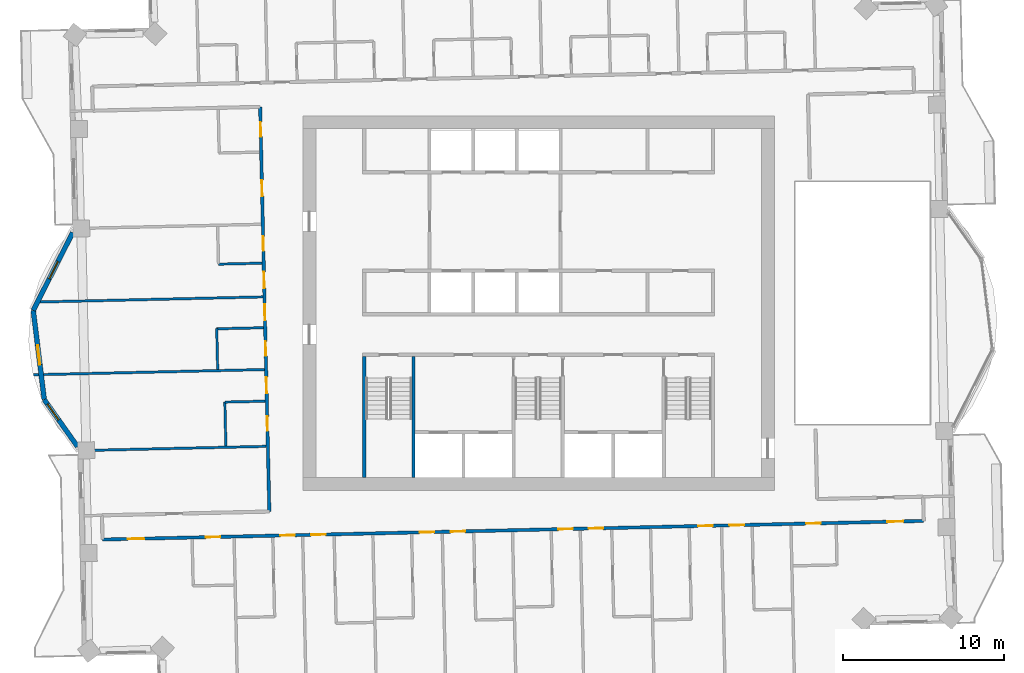
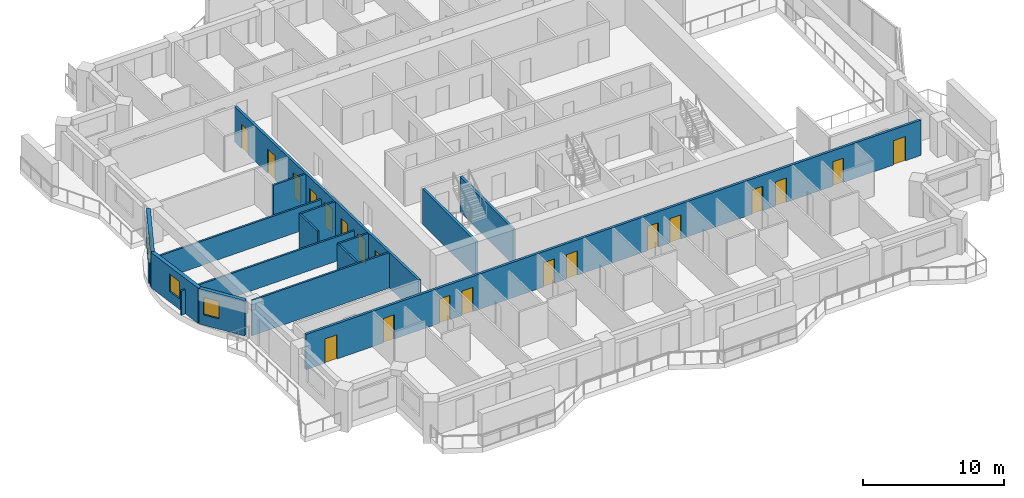
# One storey, part 7 of 17: 20 doors, 15 walls, 3 windows, 23 openings.
"""IFC4 building model written with IfcOpenShell, lengths in metres."""

from ifc_helpers import new_model, si_unit, direction, frame, frame_2d, origin, place, context, subcontext, project, spatial, rectangle, extrude, material, layer, layer_set, type_object, element, fill, save


model = new_model("IFC4")

# Units and contexts
model_context = context("Model", 3, precision=1e-05, world=origin(), true_north=direction((0.0, 1.0)))
body_context = subcontext(model_context, "Body", "Model", "MODEL_VIEW")
ifc_project = project(units=[si_unit("LENGTHUNIT", "METRE"), si_unit("AREAUNIT", "SQUARE_METRE"), si_unit("VOLUMEUNIT", "CUBIC_METRE"), si_unit("PLANEANGLEUNIT", "RADIAN"), si_unit("MASSUNIT", "GRAM", prefix="KILO")], contexts=[model_context])

# Site, building, storey
site_placement = place(None, origin())
site = spatial("IfcSite", under=ifc_project, at=site_placement, CompositionType="ELEMENT")
building_placement = place(site_placement, origin())
building = spatial("IfcBuilding", under=site, at=building_placement, Name="Mangrove Gate Tower", CompositionType="ELEMENT")
storey_placement = place(building_placement, frame((0.0, 0.0, 241.89990234375)))
storey = spatial("IfcBuildingStorey", under=building, at=storey_placement, Name="L61", CompositionType="ELEMENT", Elevation=241.89990234375)

# Walls
ifc_material_1 = material(Name="Concrete C60/75", Category="concrete")
ifc_layer_1 = layer(ifc_material_1, 0.199951171875)
ifc_layer_set_1 = layer_set([ifc_layer_1], Name="Core stair wall 200 C60/75")
wall_type_1 = type_object("IfcWallType", Name="Core stair wall 200 C60/75", PredefinedType="SHEAR", material=ifc_layer_set_1)
for number, where, z_axis, x_axis, name in (
    (1, (-10.800048828125, -10.800048828125, 0.0), (0.0, 0.0, 1.0), (0.0, 1.0, 0.0), "WALL-L61-CORE-9"),
    (2, (-7.75, -10.800048828125, 0.0), (0.0, 0.0, 1.0), (0.0, 1.0, 0.0), "WALL-L61-CORE-10"),
):
    element("IfcWall", number, at=place(storey_placement, frame(where, z_axis=z_axis, x_axis=x_axis)), inside=storey, type_object=wall_type_1, Name=name, PredefinedType="SHEAR", context=body_context, shape_type="SweptSolid", body=[
        extrude(rectangle(XDim=7.5, YDim=0.199951171875, at=frame_2d((3.75, 0.0))), origin(), (0.0, 0.0, 1.0), 3.050048828125),
    ])

# Wall, openings, doors
ifc_material_2 = material(Name="Gypsum board on steel stud, EI 60", Category="steel")
ifc_layer_2 = layer(ifc_material_2, 0.199951171875)
ifc_layer_set_2 = layer_set([ifc_layer_2], Name="Corridor wall EI 60")
wall_type_2 = type_object("IfcWallType", Name="Corridor wall EI 60", PredefinedType="PARTITIONING", material=ifc_layer_set_2)
wall_1_placement = place(storey_placement, frame((-27.01611328125, -14.64990234375, 0.0), z_axis=(0.0, 0.0, 1.0), x_axis=(0.999742874861, 0.022675629315, 0.0)))
wall_1 = element("IfcWall", 3, at=wall_1_placement, inside=storey, type_object=wall_type_2, Name="WALL-L61-032", PredefinedType="PARTITIONING", context=body_context, shape_type="SweptSolid", body=[
    extrude(rectangle(XDim=50.88330078125, YDim=0.199951171875, at=frame_2d((25.441650390625, 0.0))), origin(), (0.0, 0.0, 1.0), 3.050048828125),
])
opening_1_placement = place(wall_1_placement, frame((1.574951171875, 0.0, 0.0)))
opening_1 = element("IfcOpeningElement", 4, at=opening_1_placement, cuts=wall_1, Name="Opening AD", PredefinedType="OPENING", context=body_context, shape_type="SweptSolid", body=[
    extrude(rectangle(XDim=1.0, YDim=2.10009765625, at=frame_2d((0.5, 1.050048828125))), frame((0.0, 0.10986328125, 0.0), z_axis=(0.0, -1.0, 0.0), x_axis=(1.0, 0.0, 0.0)), (0.0, 0.0, 1.0), 0.219970703125),
])
opening_2_placement = place(wall_1_placement, frame((6.39990234375, 0.0, 0.0)))
opening_2 = element("IfcOpeningElement", 5, at=opening_2_placement, cuts=wall_1, Name="Opening SD", PredefinedType="OPENING", context=body_context, shape_type="SweptSolid", body=[
    extrude(rectangle(XDim=0.89990234375, YDim=2.10009765625, at=frame_2d((0.449951171875, 1.050048828125))), frame((0.0, 0.10986328125, 0.0), z_axis=(0.0, -1.0, 0.0), x_axis=(1.0, 0.0, 0.0)), (0.0, 0.0, 1.0), 0.219970703125),
])
opening_3_placement = place(wall_1_placement, frame((11.02490234375, 0.0, 0.0)))
opening_3 = element("IfcOpeningElement", 6, at=opening_3_placement, cuts=wall_1, Name="Opening BD", PredefinedType="OPENING", context=body_context, shape_type="SweptSolid", body=[
    extrude(rectangle(XDim=0.89990234375, YDim=2.10009765625, at=frame_2d((0.449951171875, 1.050048828125))), frame((0.0, 0.10986328125, 0.0), z_axis=(0.0, -1.0, 0.0), x_axis=(1.0, 0.0, 0.0)), (0.0, 0.0, 1.0), 0.219970703125),
])
opening_4_placement = place(wall_1_placement, frame((12.925048828125, 0.0, 0.0)))
opening_4 = element("IfcOpeningElement", 7, at=opening_4_placement, cuts=wall_1, Name="Opening BD", PredefinedType="OPENING", context=body_context, shape_type="SweptSolid", body=[
    extrude(rectangle(XDim=0.89990234375, YDim=2.10009765625, at=frame_2d((0.449951171875, 1.050048828125))), frame((0.0, 0.10986328125, 0.0), z_axis=(0.0, -1.0, 0.0), x_axis=(1.0, 0.0, 0.0)), (0.0, 0.0, 1.0), 0.219970703125),
])
opening_5_placement = place(wall_1_placement, frame((19.64990234375, 0.0, 0.0)))
opening_5 = element("IfcOpeningElement", 8, at=opening_5_placement, cuts=wall_1, Name="Opening BD", PredefinedType="OPENING", context=body_context, shape_type="SweptSolid", body=[
    extrude(rectangle(XDim=0.89990234375, YDim=2.10009765625, at=frame_2d((0.449951171875, 1.050048828125))), frame((0.0, 0.10986328125, 0.0), z_axis=(0.0, -1.0, 0.0), x_axis=(1.0, 0.0, 0.0)), (0.0, 0.0, 1.0), 0.219970703125),
])
opening_6_placement = place(wall_1_placement, frame((21.574951171875, 0.0, 0.0)))
opening_6 = element("IfcOpeningElement", 9, at=opening_6_placement, cuts=wall_1, Name="Opening BD", PredefinedType="OPENING", context=body_context, shape_type="SweptSolid", body=[
    extrude(rectangle(XDim=0.89990234375, YDim=2.10009765625, at=frame_2d((0.449951171875, 1.050048828125))), frame((0.0, 0.10986328125, 0.0), z_axis=(0.0, -1.0, 0.0), x_axis=(1.0, 0.0, 0.0)), (0.0, 0.0, 1.0), 0.219970703125),
])
opening_7_placement = place(wall_1_placement, frame((28.25, 0.0, 0.0)))
opening_7 = element("IfcOpeningElement", 10, at=opening_7_placement, cuts=wall_1, Name="Opening BD", PredefinedType="OPENING", context=body_context, shape_type="SweptSolid", body=[
    extrude(rectangle(XDim=0.89990234375, YDim=2.10009765625, at=frame_2d((0.449951171875, 1.050048828125))), frame((0.0, 0.10986328125, 0.0), z_axis=(0.0, -1.0, 0.0), x_axis=(1.0, 0.0, 0.0)), (0.0, 0.0, 1.0), 0.219970703125),
])
opening_8_placement = place(wall_1_placement, frame((30.125, 0.0, 0.0)))
opening_8 = element("IfcOpeningElement", 11, at=opening_8_placement, cuts=wall_1, Name="Opening BD", PredefinedType="OPENING", context=body_context, shape_type="SweptSolid", body=[
    extrude(rectangle(XDim=0.89990234375, YDim=2.10009765625, at=frame_2d((0.449951171875, 1.050048828125))), frame((0.0, 0.10986328125, 0.0), z_axis=(0.0, -1.0, 0.0), x_axis=(1.0, 0.0, 0.0)), (0.0, 0.0, 1.0), 0.219970703125),
])
opening_9_placement = place(wall_1_placement, frame((36.89990234375, 0.0, 0.0)))
opening_9 = element("IfcOpeningElement", 12, at=opening_9_placement, cuts=wall_1, Name="Opening BD", PredefinedType="OPENING", context=body_context, shape_type="SweptSolid", body=[
    extrude(rectangle(XDim=0.89990234375, YDim=2.10009765625, at=frame_2d((0.449951171875, 1.050048828125))), frame((0.0, 0.10986328125, 0.0), z_axis=(0.0, -1.0, 0.0), x_axis=(1.0, 0.0, 0.0)), (0.0, 0.0, 1.0), 0.219970703125),
])
opening_10_placement = place(wall_1_placement, frame((38.85009765625, 0.0, 0.0)))
opening_10 = element("IfcOpeningElement", 13, at=opening_10_placement, cuts=wall_1, Name="Opening BD", PredefinedType="OPENING", context=body_context, shape_type="SweptSolid", body=[
    extrude(rectangle(XDim=0.89990234375, YDim=2.10009765625, at=frame_2d((0.449951171875, 1.050048828125))), frame((0.0, 0.10986328125, 0.0), z_axis=(0.0, -1.0, 0.0), x_axis=(1.0, 0.0, 0.0)), (0.0, 0.0, 1.0), 0.219970703125),
])
opening_11_placement = place(wall_1_placement, frame((48.62890625, 0.0, 0.0)))
opening_11 = element("IfcOpeningElement", 14, at=opening_11_placement, cuts=wall_1, Name="Opening AD", PredefinedType="OPENING", context=body_context, shape_type="SweptSolid", body=[
    extrude(rectangle(XDim=1.0, YDim=2.10009765625, at=frame_2d((0.5, 1.050048828125))), frame((0.0, 0.10986328125, 0.0), z_axis=(0.0, -1.0, 0.0), x_axis=(1.0, 0.0, 0.0)), (0.0, 0.0, 1.0), 0.219970703125),
])
opening_12_placement = place(wall_1_placement, frame((43.60009765625, 0.0, 0.0)))
opening_12 = element("IfcOpeningElement", 15, at=opening_12_placement, cuts=wall_1, Name="Opening SD", PredefinedType="OPENING", context=body_context, shape_type="SweptSolid", body=[
    extrude(rectangle(XDim=0.89990234375, YDim=2.10009765625, at=frame_2d((0.449951171875, 1.050048828125))), frame((0.0, 0.10986328125, 0.0), z_axis=(0.0, -1.0, 0.0), x_axis=(1.0, 0.0, 0.0)), (0.0, 0.0, 1.0), 0.219970703125),
])
ifc_material_3 = material(Name="Timber door leaf", Category="wood")
door_type_1 = type_object("IfcDoorType", Name="Amenity door 1000", OperationType="SINGLE_SWING_LEFT", PredefinedType="DOOR", material=ifc_material_3)
door_1_placement = place(opening_1_placement, origin())
door_1 = element("IfcDoor", 16, at=door_1_placement, inside=storey, type_object=door_type_1, Name="DOOR-L61-LNG-c1a", OperationType="SINGLE_SWING_LEFT", OverallHeight=2.10009765625, OverallWidth=1.0, PredefinedType="DOOR", context=body_context, shape_type="SweptSolid", body=[
    extrude(rectangle(XDim=1.0, YDim=2.10009765625, at=frame_2d((0.5, 1.050048828125))), frame((0.0, 0.02490234375, 0.0), z_axis=(0.0, -1.0, 0.0), x_axis=(1.0, 0.0, 0.0)), (0.0, 0.0, 1.0), 0.050048828125),
])
fill(opening_1, door_1)
door_2_placement = place(opening_11_placement, origin())
door_2 = element("IfcDoor", 17, at=door_2_placement, inside=storey, type_object=door_type_1, Name="DOOR-L61-KIT-c3a", OperationType="SINGLE_SWING_RIGHT", OverallHeight=2.10009765625, OverallWidth=1.0, PredefinedType="DOOR", context=body_context, shape_type="SweptSolid", body=[
    extrude(rectangle(XDim=1.0, YDim=2.10009765625, at=frame_2d((0.5, 1.050048828125))), frame((0.0, 0.02490234375, 0.0), z_axis=(0.0, -1.0, 0.0), x_axis=(1.0, 0.0, 0.0)), (0.0, 0.0, 1.0), 0.050048828125),
])
fill(opening_11, door_2)
ifc_material_4 = material(Name="Timber door leaf", Category="wood")
door_type_2 = type_object("IfcDoorType", Name="Bedroom door 900", OperationType="SINGLE_SWING_LEFT", PredefinedType="DOOR", material=ifc_material_4)
door_3_placement = place(opening_3_placement, origin())
door_3 = element("IfcDoor", 18, at=door_3_placement, inside=storey, type_object=door_type_2, Name="DOOR-L61-BED-c101", OperationType="SINGLE_SWING_LEFT", OverallHeight=2.10009765625, OverallWidth=0.89990234375, PredefinedType="DOOR", context=body_context, shape_type="SweptSolid", body=[
    extrude(rectangle(XDim=0.89990234375, YDim=2.10009765625, at=frame_2d((0.449951171875, 1.050048828125))), frame((0.0, 0.02490234375, 0.0), z_axis=(0.0, -1.0, 0.0), x_axis=(1.0, 0.0, 0.0)), (0.0, 0.0, 1.0), 0.050048828125),
])
fill(opening_3, door_3)
door_4_placement = place(opening_4_placement, origin())
door_4 = element("IfcDoor", 19, at=door_4_placement, inside=storey, type_object=door_type_2, Name="DOOR-L61-BED-c102", OperationType="SINGLE_SWING_RIGHT", OverallHeight=2.10009765625, OverallWidth=0.89990234375, PredefinedType="DOOR", context=body_context, shape_type="SweptSolid", body=[
    extrude(rectangle(XDim=0.89990234375, YDim=2.10009765625, at=frame_2d((0.449951171875, 1.050048828125))), frame((0.0, 0.02490234375, 0.0), z_axis=(0.0, -1.0, 0.0), x_axis=(1.0, 0.0, 0.0)), (0.0, 0.0, 1.0), 0.050048828125),
])
fill(opening_4, door_4)
door_5_placement = place(opening_5_placement, origin())
door_5 = element("IfcDoor", 20, at=door_5_placement, inside=storey, type_object=door_type_2, Name="DOOR-L61-BED-c103", OperationType="SINGLE_SWING_LEFT", OverallHeight=2.10009765625, OverallWidth=0.89990234375, PredefinedType="DOOR", context=body_context, shape_type="SweptSolid", body=[
    extrude(rectangle(XDim=0.89990234375, YDim=2.10009765625, at=frame_2d((0.449951171875, 1.050048828125))), frame((0.0, 0.02490234375, 0.0), z_axis=(0.0, -1.0, 0.0), x_axis=(1.0, 0.0, 0.0)), (0.0, 0.0, 1.0), 0.050048828125),
])
fill(opening_5, door_5)
door_6_placement = place(opening_6_placement, origin())
door_6 = element("IfcDoor", 21, at=door_6_placement, inside=storey, type_object=door_type_2, Name="DOOR-L61-BED-c104", OperationType="SINGLE_SWING_RIGHT", OverallHeight=2.10009765625, OverallWidth=0.89990234375, PredefinedType="DOOR", context=body_context, shape_type="SweptSolid", body=[
    extrude(rectangle(XDim=0.89990234375, YDim=2.10009765625, at=frame_2d((0.449951171875, 1.050048828125))), frame((0.0, 0.02490234375, 0.0), z_axis=(0.0, -1.0, 0.0), x_axis=(1.0, 0.0, 0.0)), (0.0, 0.0, 1.0), 0.050048828125),
])
fill(opening_6, door_6)
door_7_placement = place(opening_7_placement, origin())
door_7 = element("IfcDoor", 22, at=door_7_placement, inside=storey, type_object=door_type_2, Name="DOOR-L61-BED-c205", OperationType="SINGLE_SWING_LEFT", OverallHeight=2.10009765625, OverallWidth=0.89990234375, PredefinedType="DOOR", context=body_context, shape_type="SweptSolid", body=[
    extrude(rectangle(XDim=0.89990234375, YDim=2.10009765625, at=frame_2d((0.449951171875, 1.050048828125))), frame((0.0, 0.02490234375, 0.0), z_axis=(0.0, -1.0, 0.0), x_axis=(1.0, 0.0, 0.0)), (0.0, 0.0, 1.0), 0.050048828125),
])
fill(opening_7, door_7)
door_8_placement = place(opening_8_placement, origin())
door_8 = element("IfcDoor", 23, at=door_8_placement, inside=storey, type_object=door_type_2, Name="DOOR-L61-BED-c206", OperationType="SINGLE_SWING_RIGHT", OverallHeight=2.10009765625, OverallWidth=0.89990234375, PredefinedType="DOOR", context=body_context, shape_type="SweptSolid", body=[
    extrude(rectangle(XDim=0.89990234375, YDim=2.10009765625, at=frame_2d((0.449951171875, 1.050048828125))), frame((0.0, 0.02490234375, 0.0), z_axis=(0.0, -1.0, 0.0), x_axis=(1.0, 0.0, 0.0)), (0.0, 0.0, 1.0), 0.050048828125),
])
fill(opening_8, door_8)
door_9_placement = place(opening_9_placement, origin())
door_9 = element("IfcDoor", 24, at=door_9_placement, inside=storey, type_object=door_type_2, Name="DOOR-L61-BED-c207", OperationType="SINGLE_SWING_LEFT", OverallHeight=2.10009765625, OverallWidth=0.89990234375, PredefinedType="DOOR", context=body_context, shape_type="SweptSolid", body=[
    extrude(rectangle(XDim=0.89990234375, YDim=2.10009765625, at=frame_2d((0.449951171875, 1.050048828125))), frame((0.0, 0.02490234375, 0.0), z_axis=(0.0, -1.0, 0.0), x_axis=(1.0, 0.0, 0.0)), (0.0, 0.0, 1.0), 0.050048828125),
])
fill(opening_9, door_9)
door_10_placement = place(opening_10_placement, origin())
door_10 = element("IfcDoor", 25, at=door_10_placement, inside=storey, type_object=door_type_2, Name="DOOR-L61-BED-c308", OperationType="SINGLE_SWING_RIGHT", OverallHeight=2.10009765625, OverallWidth=0.89990234375, PredefinedType="DOOR", context=body_context, shape_type="SweptSolid", body=[
    extrude(rectangle(XDim=0.89990234375, YDim=2.10009765625, at=frame_2d((0.449951171875, 1.050048828125))), frame((0.0, 0.02490234375, 0.0), z_axis=(0.0, -1.0, 0.0), x_axis=(1.0, 0.0, 0.0)), (0.0, 0.0, 1.0), 0.050048828125),
])
fill(opening_10, door_10)
ifc_material_5 = material(Name="Timber door leaf", Category="wood")
door_type_3 = type_object("IfcDoorType", Name="Service room door 900", OperationType="SINGLE_SWING_LEFT", PredefinedType="DOOR", material=ifc_material_5)
door_11_placement = place(opening_2_placement, origin())
door_11 = element("IfcDoor", 26, at=door_11_placement, inside=storey, type_object=door_type_3, Name="DOOR-L61-AWC-c1a", OperationType="SINGLE_SWING_LEFT", OverallHeight=2.10009765625, OverallWidth=0.89990234375, PredefinedType="DOOR", context=body_context, shape_type="SweptSolid", body=[
    extrude(rectangle(XDim=0.89990234375, YDim=2.10009765625, at=frame_2d((0.449951171875, 1.050048828125))), frame((0.0, 0.02490234375, 0.0), z_axis=(0.0, -1.0, 0.0), x_axis=(1.0, 0.0, 0.0)), (0.0, 0.0, 1.0), 0.050048828125),
])
fill(opening_2, door_11)
door_12_placement = place(opening_12_placement, origin())
door_12 = element("IfcDoor", 27, at=door_12_placement, inside=storey, type_object=door_type_3, Name="DOOR-L61-LDY-c3a", OperationType="SINGLE_SWING_RIGHT", OverallHeight=2.10009765625, OverallWidth=0.89990234375, PredefinedType="DOOR", context=body_context, shape_type="SweptSolid", body=[
    extrude(rectangle(XDim=0.89990234375, YDim=2.10009765625, at=frame_2d((0.449951171875, 1.050048828125))), frame((0.0, 0.02490234375, 0.0), z_axis=(0.0, -1.0, 0.0), x_axis=(1.0, 0.0, 0.0)), (0.0, 0.0, 1.0), 0.050048828125),
])
fill(opening_12, door_12)

wall_2_placement = place(storey_placement, frame((-16.677978515625, -12.9189453125, 0.0), z_axis=(0.0, 0.0, 1.0), x_axis=(-0.022696191528, 0.999742408268, 0.0)))
wall_2 = element("IfcWall", 28, at=wall_2_placement, inside=storey, type_object=wall_type_2, Name="WALL-L61-033", PredefinedType="PARTITIONING", context=body_context, shape_type="SweptSolid", body=[
    extrude(rectangle(XDim=25.07421875, YDim=0.199951171875, at=frame_2d((12.537109375, 0.0))), origin(), (0.0, 0.0, 1.0), 3.050048828125),
])
opening_13_placement = place(wall_2_placement, frame((19.537109375, 0.0, 0.0)))
opening_13 = element("IfcOpeningElement", 29, at=opening_13_placement, cuts=wall_2, Name="Opening AD", PredefinedType="OPENING", context=body_context, shape_type="SweptSolid", body=[
    extrude(rectangle(XDim=1.0, YDim=2.10009765625, at=frame_2d((0.5, 1.050048828125))), frame((0.0, 0.10986328125, 0.0), z_axis=(0.0, -1.0, 0.0), x_axis=(1.0, 0.0, 0.0)), (0.0, 0.0, 1.0), 0.219970703125),
])
opening_14_placement = place(wall_2_placement, frame((23.22412109375, 0.0, 0.0)))
opening_14 = element("IfcOpeningElement", 30, at=opening_14_placement, cuts=wall_2, Name="Opening SD", PredefinedType="OPENING", context=body_context, shape_type="SweptSolid", body=[
    extrude(rectangle(XDim=0.89990234375, YDim=2.10009765625, at=frame_2d((0.449951171875, 1.050048828125))), frame((0.0, 0.10986328125, 0.0), z_axis=(0.0, -1.0, 0.0), x_axis=(1.0, 0.0, 0.0)), (0.0, 0.0, 1.0), 0.219970703125),
])
opening_15_placement = place(wall_2_placement, frame((13.84912109375, 0.0, 0.0)))
opening_15 = element("IfcOpeningElement", 31, at=opening_15_placement, cuts=wall_2, Name="Opening AD", PredefinedType="OPENING", context=body_context, shape_type="SweptSolid", body=[
    extrude(rectangle(XDim=1.0, YDim=2.10009765625, at=frame_2d((0.5, 1.050048828125))), frame((0.0, 0.10986328125, 0.0), z_axis=(0.0, -1.0, 0.0), x_axis=(1.0, 0.0, 0.0)), (0.0, 0.0, 1.0), 0.219970703125),
])
opening_16_placement = place(wall_2_placement, frame((16.14892578125, 0.0, 0.0)))
opening_16 = element("IfcOpeningElement", 32, at=opening_16_placement, cuts=wall_2, Name="Opening SD", PredefinedType="OPENING", context=body_context, shape_type="SweptSolid", body=[
    extrude(rectangle(XDim=0.89990234375, YDim=2.10009765625, at=frame_2d((0.449951171875, 1.050048828125))), frame((0.0, 0.10986328125, 0.0), z_axis=(0.0, -1.0, 0.0), x_axis=(1.0, 0.0, 0.0)), (0.0, 0.0, 1.0), 0.219970703125),
])
opening_17_placement = place(wall_2_placement, frame((11.84912109375, 0.0, 0.0)))
opening_17 = element("IfcOpeningElement", 33, at=opening_17_placement, cuts=wall_2, Name="Opening AD", PredefinedType="OPENING", context=body_context, shape_type="SweptSolid", body=[
    extrude(rectangle(XDim=1.0, YDim=2.10009765625, at=frame_2d((0.5, 1.050048828125))), frame((0.0, 0.10986328125, 0.0), z_axis=(0.0, -1.0, 0.0), x_axis=(1.0, 0.0, 0.0)), (0.0, 0.0, 1.0), 0.219970703125),
])
opening_18_placement = place(wall_2_placement, frame((9.64892578125, 0.0, 0.0)))
opening_18 = element("IfcOpeningElement", 34, at=opening_18_placement, cuts=wall_2, Name="Opening SD", PredefinedType="OPENING", context=body_context, shape_type="SweptSolid", body=[
    extrude(rectangle(XDim=0.89990234375, YDim=2.10009765625, at=frame_2d((0.449951171875, 1.050048828125))), frame((0.0, 0.10986328125, 0.0), z_axis=(0.0, -1.0, 0.0), x_axis=(1.0, 0.0, 0.0)), (0.0, 0.0, 1.0), 0.219970703125),
])
opening_19_placement = place(wall_2_placement, frame((7.323974609375, 0.0, 0.0)))
opening_19 = element("IfcOpeningElement", 35, at=opening_19_placement, cuts=wall_2, Name="Opening AD", PredefinedType="OPENING", context=body_context, shape_type="SweptSolid", body=[
    extrude(rectangle(XDim=1.0, YDim=2.10009765625, at=frame_2d((0.5, 1.050048828125))), frame((0.0, 0.10986328125, 0.0), z_axis=(0.0, -1.0, 0.0), x_axis=(1.0, 0.0, 0.0)), (0.0, 0.0, 1.0), 0.219970703125),
])
opening_20_placement = place(wall_2_placement, frame((4.9990234375, 0.0, 0.0)))
opening_20 = element("IfcOpeningElement", 36, at=opening_20_placement, cuts=wall_2, Name="Opening SD", PredefinedType="OPENING", context=body_context, shape_type="SweptSolid", body=[
    extrude(rectangle(XDim=0.89990234375, YDim=2.10009765625, at=frame_2d((0.449951171875, 1.050048828125))), frame((0.0, 0.10986328125, 0.0), z_axis=(0.0, -1.0, 0.0), x_axis=(1.0, 0.0, 0.0)), (0.0, 0.0, 1.0), 0.219970703125),
])
door_13_placement = place(opening_13_placement, origin())
door_13 = element("IfcDoor", 37, at=door_13_placement, inside=storey, type_object=door_type_1, Name="DOOR-L61-LNG-c5a", OperationType="SINGLE_SWING_LEFT", OverallHeight=2.10009765625, OverallWidth=1.0, PredefinedType="DOOR", context=body_context, shape_type="SweptSolid", body=[
    extrude(rectangle(XDim=1.0, YDim=2.10009765625, at=frame_2d((0.5, 1.050048828125))), frame((0.0, 0.02490234375, 0.0), z_axis=(0.0, -1.0, 0.0), x_axis=(1.0, 0.0, 0.0)), (0.0, 0.0, 1.0), 0.050048828125),
])
fill(opening_13, door_13)
door_14_placement = place(opening_15_placement, origin())
door_14 = element("IfcDoor", 38, at=door_14_placement, inside=storey, type_object=door_type_1, Name="DOOR-L61-KIT-c5a", OperationType="SINGLE_SWING_RIGHT", OverallHeight=2.10009765625, OverallWidth=1.0, PredefinedType="DOOR", context=body_context, shape_type="SweptSolid", body=[
    extrude(rectangle(XDim=1.0, YDim=2.10009765625, at=frame_2d((0.5, 1.050048828125))), frame((0.0, 0.02490234375, 0.0), z_axis=(0.0, -1.0, 0.0), x_axis=(1.0, 0.0, 0.0)), (0.0, 0.0, 1.0), 0.050048828125),
])
fill(opening_15, door_14)
door_15_placement = place(opening_17_placement, origin())
door_15 = element("IfcDoor", 39, at=door_15_placement, inside=storey, type_object=door_type_1, Name="DOOR-L61-KIT-c5b", OperationType="SINGLE_SWING_LEFT", OverallHeight=2.10009765625, OverallWidth=1.0, PredefinedType="DOOR", context=body_context, shape_type="SweptSolid", body=[
    extrude(rectangle(XDim=1.0, YDim=2.10009765625, at=frame_2d((0.5, 1.050048828125))), frame((0.0, 0.02490234375, 0.0), z_axis=(0.0, -1.0, 0.0), x_axis=(1.0, 0.0, 0.0)), (0.0, 0.0, 1.0), 0.050048828125),
])
fill(opening_17, door_15)
door_16_placement = place(opening_19_placement, origin())
door_16 = element("IfcDoor", 40, at=door_16_placement, inside=storey, type_object=door_type_1, Name="DOOR-L61-KIT-c5c", OperationType="SINGLE_SWING_RIGHT", OverallHeight=2.10009765625, OverallWidth=1.0, PredefinedType="DOOR", context=body_context, shape_type="SweptSolid", body=[
    extrude(rectangle(XDim=1.0, YDim=2.10009765625, at=frame_2d((0.5, 1.050048828125))), frame((0.0, 0.02490234375, 0.0), z_axis=(0.0, -1.0, 0.0), x_axis=(1.0, 0.0, 0.0)), (0.0, 0.0, 1.0), 0.050048828125),
])
fill(opening_19, door_16)
door_17_placement = place(opening_14_placement, origin())
door_17 = element("IfcDoor", 41, at=door_17_placement, inside=storey, type_object=door_type_3, Name="DOOR-L61-LDY-c5a", OperationType="SINGLE_SWING_LEFT", OverallHeight=2.10009765625, OverallWidth=0.89990234375, PredefinedType="DOOR", context=body_context, shape_type="SweptSolid", body=[
    extrude(rectangle(XDim=0.89990234375, YDim=2.10009765625, at=frame_2d((0.449951171875, 1.050048828125))), frame((0.0, 0.02490234375, 0.0), z_axis=(0.0, -1.0, 0.0), x_axis=(1.0, 0.0, 0.0)), (0.0, 0.0, 1.0), 0.050048828125),
])
fill(opening_14, door_17)
door_18_placement = place(opening_16_placement, origin())
door_18 = element("IfcDoor", 42, at=door_18_placement, inside=storey, type_object=door_type_3, Name="DOOR-L61-WC-c5a", OperationType="SINGLE_SWING_RIGHT", OverallHeight=2.10009765625, OverallWidth=0.89990234375, PredefinedType="DOOR", context=body_context, shape_type="SweptSolid", body=[
    extrude(rectangle(XDim=0.89990234375, YDim=2.10009765625, at=frame_2d((0.449951171875, 1.050048828125))), frame((0.0, 0.02490234375, 0.0), z_axis=(0.0, -1.0, 0.0), x_axis=(1.0, 0.0, 0.0)), (0.0, 0.0, 1.0), 0.050048828125),
])
fill(opening_16, door_18)
door_19_placement = place(opening_18_placement, origin())
door_19 = element("IfcDoor", 43, at=door_19_placement, inside=storey, type_object=door_type_3, Name="DOOR-L61-AWC-c5a", OperationType="SINGLE_SWING_LEFT", OverallHeight=2.10009765625, OverallWidth=0.89990234375, PredefinedType="DOOR", context=body_context, shape_type="SweptSolid", body=[
    extrude(rectangle(XDim=0.89990234375, YDim=2.10009765625, at=frame_2d((0.449951171875, 1.050048828125))), frame((0.0, 0.02490234375, 0.0), z_axis=(0.0, -1.0, 0.0), x_axis=(1.0, 0.0, 0.0)), (0.0, 0.0, 1.0), 0.050048828125),
])
fill(opening_18, door_19)
door_20_placement = place(opening_20_placement, origin())
door_20 = element("IfcDoor", 44, at=door_20_placement, inside=storey, type_object=door_type_3, Name="DOOR-L61-LDY-c5b", OperationType="SINGLE_SWING_RIGHT", OverallHeight=2.10009765625, OverallWidth=0.89990234375, PredefinedType="DOOR", context=body_context, shape_type="SweptSolid", body=[
    extrude(rectangle(XDim=0.89990234375, YDim=2.10009765625, at=frame_2d((0.449951171875, 1.050048828125))), frame((0.0, 0.02490234375, 0.0), z_axis=(0.0, -1.0, 0.0), x_axis=(1.0, 0.0, 0.0)), (0.0, 0.0, 1.0), 0.050048828125),
])
fill(opening_20, door_20)

# Wall, opening, window
ifc_material_6 = material(Name="Limestone", Category="masonry")
ifc_layer_3 = layer(ifc_material_6, 0.0400390625, Name="Limestone cladding")
ifc_material_7 = material(Name="Ventilated air gap")
ifc_layer_4 = layer(ifc_material_7, 0.0400390625, Name="Ventilated cavity")
ifc_material_8 = material(Name="Mineral wool insulation")
ifc_layer_5 = layer(ifc_material_8, 0.06005859375, Name="Insulation")
ifc_material_9 = material(Name="Breather membrane")
ifc_layer_6 = layer(ifc_material_9, 0.001953125, Name="Breather membrane")
ifc_material_10 = material(Name="Concrete C20/25 blockwork", Category="masonry")
ifc_layer_7 = layer(ifc_material_10, 0.14990234375, Name="Blockwork backing wall")
ifc_material_11 = material(Name="Gypsum plaster")
ifc_layer_8 = layer(ifc_material_11, 0.008056640625, Name="Internal plaster")
ifc_layer_set_3 = layer_set([ifc_layer_3, ifc_layer_4, ifc_layer_5, ifc_layer_6, ifc_layer_7, ifc_layer_8], Name="External wall 300 limestone cladding")
wall_type_3 = type_object("IfcWallType", Name="External wall 300 limestone cladding", PredefinedType="SOLIDWALL", material=ifc_layer_set_3)
wall_3_placement = place(storey_placement, frame((-28.85693359375, 4.363037109375, 0.0), z_axis=(0.0, 0.0, 1.0), x_axis=(-0.45277700056, -0.891623792731, 0.0)))
wall_3 = element("IfcWall", 45, at=wall_3_placement, inside=storey, type_object=wall_type_3, Name="WALL-L61-W9f1", PredefinedType="SOLIDWALL", context=body_context, shape_type="SweptSolid", body=[
    extrude(rectangle(XDim=5.39794921875, YDim=0.300048828125, at=frame_2d((2.698974609375, 0.0))), origin(), (0.0, 0.0, 1.0), 3.050048828125),
])
opening_21_placement = place(wall_3_placement, frame((2.008056640625, 0.0, 0.89990234375)))
opening_21 = element("IfcOpeningElement", 46, at=opening_21_placement, cuts=wall_3, Name="Opening W1", PredefinedType="OPENING", context=body_context, shape_type="SweptSolid", body=[
    extrude(rectangle(XDim=1.199951171875, YDim=1.5, at=frame_2d((0.60009765625, 0.75))), frame((0.0, 0.159912109375, 0.0), z_axis=(0.0, -1.0, 0.0), x_axis=(1.0, 0.0, 0.0)), (0.0, 0.0, 1.0), 0.320068359375),
])
ifc_material_12 = material(Name="Aluminium frame with double-glazed low-e glass", Category="aluminium")
window_type = type_object("IfcWindowType", Name="Side lite 1200x1500", PartitioningType="SINGLE_PANEL", PredefinedType="WINDOW", material=ifc_material_12)
window_1_placement = place(opening_21_placement, origin())
window_1 = element("IfcWindow", 47, at=window_1_placement, inside=storey, type_object=window_type, Name="WIN-L61-W9f1", OverallHeight=1.5, OverallWidth=1.199951171875, PartitioningType="SINGLE_PANEL", PredefinedType="WINDOW", context=body_context, shape_type="SweptSolid", body=[
    extrude(rectangle(XDim=1.199951171875, YDim=1.5, at=frame_2d((0.60009765625, 0.75))), frame((0.0, 0.030029296875, 0.0), z_axis=(0.0, -1.0, 0.0), x_axis=(1.0, 0.0, 0.0)), (0.0, 0.0, 1.0), 0.06005859375),
])
fill(opening_21, window_1)

wall_4_placement = place(storey_placement, frame((-31.301025390625, -0.449951171875, 0.0), z_axis=(0.0, 0.0, 1.0), x_axis=(0.122163831021, -0.992509948761, 0.0)))
wall_4 = element("IfcWall", 48, at=wall_4_placement, inside=storey, type_object=wall_type_3, Name="WALL-L61-W9f2", PredefinedType="SOLIDWALL", context=body_context, shape_type="SweptSolid", body=[
    extrude(rectangle(XDim=5.57373046875, YDim=0.300048828125, at=frame_2d((2.786865234375, 0.0))), origin(), (0.0, 0.0, 1.0), 3.050048828125),
])
opening_22_placement = place(wall_4_placement, frame((2.18701171875, 0.0, 0.89990234375)))
opening_22 = element("IfcOpeningElement", 49, at=opening_22_placement, cuts=wall_4, Name="Opening W1", PredefinedType="OPENING", context=body_context, shape_type="SweptSolid", body=[
    extrude(rectangle(XDim=1.199951171875, YDim=1.5, at=frame_2d((0.60009765625, 0.75))), frame((0.0, 0.159912109375, 0.0), z_axis=(0.0, -1.0, 0.0), x_axis=(1.0, 0.0, 0.0)), (0.0, 0.0, 1.0), 0.320068359375),
])
window_2_placement = place(opening_22_placement, origin())
window_2 = element("IfcWindow", 50, at=window_2_placement, inside=storey, type_object=window_type, Name="WIN-L61-W9f2", OverallHeight=1.5, OverallWidth=1.199951171875, PartitioningType="SINGLE_PANEL", PredefinedType="WINDOW", context=body_context, shape_type="SweptSolid", body=[
    extrude(rectangle(XDim=1.199951171875, YDim=1.5, at=frame_2d((0.60009765625, 0.75))), frame((0.0, 0.030029296875, 0.0), z_axis=(0.0, -1.0, 0.0), x_axis=(1.0, 0.0, 0.0)), (0.0, 0.0, 1.0), 0.06005859375),
])
fill(opening_22, window_2)

wall_5_placement = place(storey_placement, frame((-30.6201171875, -5.98193359375, 0.0), z_axis=(0.0, 0.0, 1.0), x_axis=(0.578108441206, -0.815959943996, 0.0)))
wall_5 = element("IfcWall", 51, at=wall_5_placement, inside=storey, type_object=wall_type_3, Name="WALL-L61-W9f3", PredefinedType="SOLIDWALL", context=body_context, shape_type="SweptSolid", body=[
    extrude(rectangle(XDim=3.56884765625, YDim=0.300048828125, at=frame_2d((1.784423828125, 0.0))), origin(), (0.0, 0.0, 1.0), 3.050048828125),
])
opening_23_placement = place(wall_5_placement, frame((0.337890625, 0.0, 0.89990234375)))
opening_23 = element("IfcOpeningElement", 52, at=opening_23_placement, cuts=wall_5, Name="Opening W1", PredefinedType="OPENING", context=body_context, shape_type="SweptSolid", body=[
    extrude(rectangle(XDim=1.199951171875, YDim=1.5, at=frame_2d((0.60009765625, 0.75))), frame((0.0, 0.159912109375, 0.0), z_axis=(0.0, -1.0, 0.0), x_axis=(1.0, 0.0, 0.0)), (0.0, 0.0, 1.0), 0.320068359375),
])
window_3_placement = place(opening_23_placement, origin())
window_3 = element("IfcWindow", 53, at=window_3_placement, inside=storey, type_object=window_type, Name="WIN-L61-W9f3", OverallHeight=1.5, OverallWidth=1.199951171875, PartitioningType="SINGLE_PANEL", PredefinedType="WINDOW", context=body_context, shape_type="SweptSolid", body=[
    extrude(rectangle(XDim=1.199951171875, YDim=1.5, at=frame_2d((0.60009765625, 0.75))), frame((0.0, 0.030029296875, 0.0), z_axis=(0.0, -1.0, 0.0), x_axis=(1.0, 0.0, 0.0)), (0.0, 0.0, 1.0), 0.06005859375),
])
fill(opening_23, window_3)

# Walls
ifc_material_13 = material(Name="Gypsum board on steel stud, EI 60", Category="steel")
ifc_layer_9 = layer(ifc_material_13, 0.14990234375)
ifc_layer_set_4 = layer_set([ifc_layer_9], Name="Party wall 150 EI 60")
wall_type_4 = type_object("IfcWallType", Name="Party wall 150 EI 60", PredefinedType="PARTITIONING", material=ifc_layer_set_4)
wall_6_placement = place(storey_placement, frame((-28.240966796875, -9.135986328125, 0.0), z_axis=(0.0, 0.0, 1.0), x_axis=(0.999742533279, 0.022690684282, 0.0)))
element("IfcWall", 54, at=wall_6_placement, inside=storey, type_object=wall_type_4, Name="WALL-L61-039", PredefinedType="PARTITIONING", context=body_context, shape_type="SweptSolid", body=[
    extrude(rectangle(XDim=11.372802734375, YDim=0.14990234375, at=frame_2d((5.6865234375, 0.0))), origin(), (0.0, 0.0, 1.0), 3.050048828125),
])
wall_7_placement = place(storey_placement, frame((-19.37109375, -8.85498046875, 0.0), z_axis=(0.0, 0.0, 1.0), x_axis=(-0.022760079124, 0.999740955847, 0.0)))
element("IfcWall", 55, at=wall_7_placement, inside=storey, type_object=wall_type_4, Name="WALL-L61-040", PredefinedType="PARTITIONING", context=body_context, shape_type="SweptSolid", body=[
    extrude(rectangle(XDim=2.724609375, YDim=0.14990234375, at=frame_2d((1.3623046875, 0.0))), origin(), (0.0, 0.0, 1.0), 3.050048828125),
])
wall_8_placement = place(storey_placement, frame((-19.43408203125, -6.135986328125, 0.0), z_axis=(0.0, 0.0, 1.0), x_axis=(0.999741230352, 0.02274801823, 0.0)))
element("IfcWall", 56, at=wall_8_placement, inside=storey, type_object=wall_type_4, Name="WALL-L61-041", PredefinedType="PARTITIONING", context=body_context, shape_type="SweptSolid", body=[
    extrude(rectangle(XDim=2.500732421875, YDim=0.14990234375, at=frame_2d((1.25048828125, 0.0))), origin(), (0.0, 0.0, 1.0), 3.050048828125),
])
wall_9_placement = place(storey_placement, frame((-19.87890625, -4.114990234375, 0.0), z_axis=(0.0, 0.0, 1.0), x_axis=(-0.022629142889, 0.99974392816, 0.0)))
element("IfcWall", 57, at=wall_9_placement, inside=storey, type_object=wall_type_4, Name="WALL-L61-042", PredefinedType="PARTITIONING", context=body_context, shape_type="SweptSolid", body=[
    extrude(rectangle(XDim=2.524658203125, YDim=0.14990234375, at=frame_2d((1.26220703125, 0.0))), origin(), (0.0, 0.0, 1.0), 3.050048828125),
])
wall_10_placement = place(storey_placement, frame((-31.2890625, -4.444091796875, 0.0), z_axis=(0.0, 0.0, 1.0), x_axis=(0.99974382177, 0.022633842623, 0.0)))
element("IfcWall", 58, at=wall_10_placement, inside=storey, type_object=wall_type_4, Name="WALL-L61-043", PredefinedType="PARTITIONING", context=body_context, shape_type="SweptSolid", body=[
    extrude(rectangle(XDim=14.313720703125, YDim=0.14990234375, at=frame_2d((7.15673828125, 0.0))), origin(), (0.0, 0.0, 1.0), 2.10009765625),
])
wall_11_placement = place(storey_placement, frame((-19.93701171875, -1.595947265625, 0.0), z_axis=(0.0, 0.0, 1.0), x_axis=(0.999741574676, 0.022732880677, 0.0)))
element("IfcWall", 59, at=wall_11_placement, inside=storey, type_object=wall_type_4, Name="WALL-L61-044", PredefinedType="PARTITIONING", context=body_context, shape_type="SweptSolid", body=[
    extrude(rectangle(XDim=2.899658203125, YDim=0.14990234375, at=frame_2d((1.44970703125, 0.0))), origin(), (0.0, 0.0, 1.0), 3.050048828125),
])
wall_12_placement = place(storey_placement, frame((-31.31298828125, 0.055908203125, 0.0), z_axis=(0.0, 0.0, 1.0), x_axis=(0.999742561055, 0.022689460464, 0.0)))
element("IfcWall", 60, at=wall_12_placement, inside=storey, type_object=wall_type_4, Name="WALL-L61-045", PredefinedType="PARTITIONING", context=body_context, shape_type="SweptSolid", body=[
    extrude(rectangle(XDim=14.235595703125, YDim=0.14990234375, at=frame_2d((7.11767578125, 0.0))), origin(), (0.0, 0.0, 1.0), 2.10009765625),
])
wall_13_placement = place(storey_placement, frame((-19.827880859375, 2.407958984375, 0.0), z_axis=(0.0, 0.0, 1.0), x_axis=(0.99974458177, 0.022600248254, 0.0)))
element("IfcWall", 61, at=wall_13_placement, inside=storey, type_object=wall_type_4, Name="WALL-L61-046", PredefinedType="PARTITIONING", context=body_context, shape_type="SweptSolid", body=[
    extrude(rectangle(XDim=2.70068359375, YDim=0.14990234375, at=frame_2d((1.350341796875, 0.0))), origin(), (0.0, 0.0, 1.0), 3.050048828125),
])

save(model, "model.ifc")
